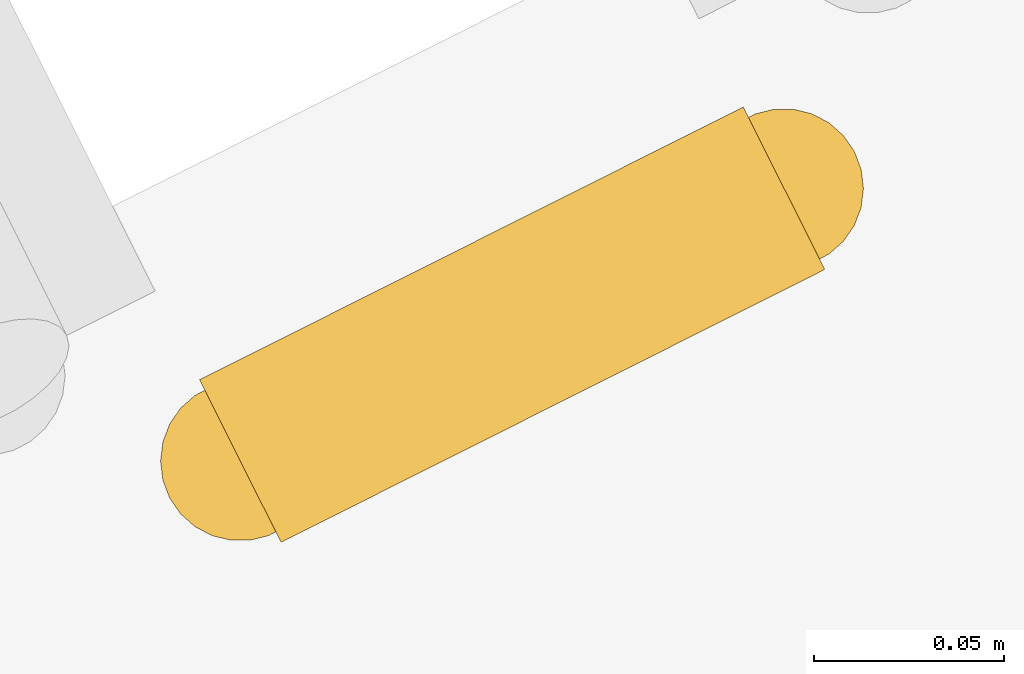
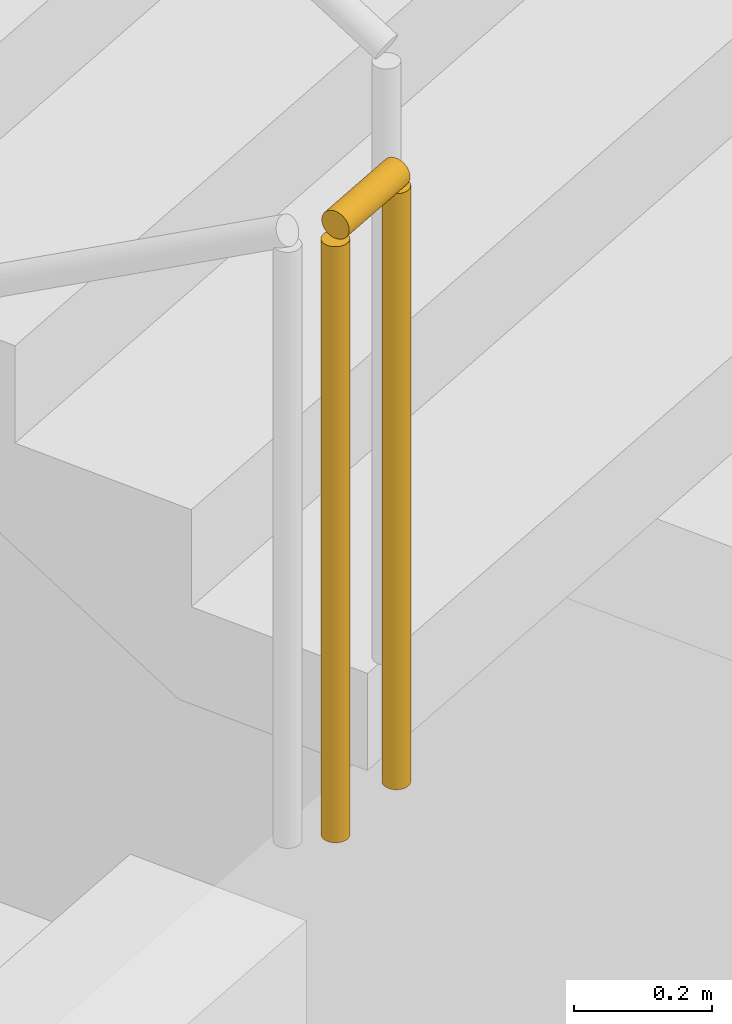
# One storey, part 84 of 108: 1 railing.
"""IFC4 building model written with IfcOpenShell, lengths in metres."""

from ifc_helpers import new_model, si_unit, direction, frame, origin, origin_2d, place, context, subcontext, project, spatial, circle, extrude, material, type_object, element, save


model = new_model("IFC4")

# Units and contexts
model_context = context("Model", 3, precision=1e-05, world=origin(), true_north=direction((0.0, 1.0)))
body_context = subcontext(model_context, "Body", "Model", "MODEL_VIEW")
ifc_project = project(units=[si_unit("LENGTHUNIT", "METRE"), si_unit("AREAUNIT", "SQUARE_METRE"), si_unit("VOLUMEUNIT", "CUBIC_METRE"), si_unit("PLANEANGLEUNIT", "RADIAN"), si_unit("MASSUNIT", "GRAM", prefix="KILO")], contexts=[model_context])

# Site, building, storey
site_placement = place(None, origin())
site = spatial("IfcSite", under=ifc_project, at=site_placement, CompositionType="ELEMENT")
building_placement = place(site_placement, origin())
building = spatial("IfcBuilding", under=site, at=building_placement, Name="Zevraka Park Crest Stadium", CompositionType="ELEMENT")
storey_placement = place(building_placement, frame((0.0, 0.0, 19.800048828125)))
storey = spatial("IfcBuildingStorey", under=building, at=storey_placement, Name="L04", CompositionType="ELEMENT", Elevation=19.800048828125)

# Railing
ifc_material = material(Name="Powder-coated tubular steel stairwell guard", Category="steel")
railing_type = type_object("IfcRailingType", Name="GR03", PredefinedType="GUARDRAIL", material=ifc_material)
railing_placement = place(storey_placement, frame((33.49658203125, 63.019287109375, 2.39990234375)))
element("IfcRailing", 1, at=railing_placement, inside=storey, type_object=railing_type, Name="L04 ST14 stair guard 2", PredefinedType="GUARDRAIL", context=body_context, shape_type="SweptSolid", body=[
    extrude(circle(Radius=0.02392578125, at=origin_2d()), frame((0.0, 0.0, 1.076171875), z_axis=(0.893816245171, 0.44843340628, 0.0), x_axis=(-0.44843340628, 0.893816245171, 0.0)), (0.0, 0.0, 1.0), 0.16015625),
    extrude(circle(Radius=0.02099609375, at=origin_2d()), origin(), (0.0, 0.0, 1.0), 1.052001953125),
    extrude(circle(Radius=0.02099609375, at=origin_2d()), frame((0.14306640625, 0.07177734375, 0.0)), (0.0, 0.0, 1.0), 1.052001953125),
])

save(model, "model.ifc")
